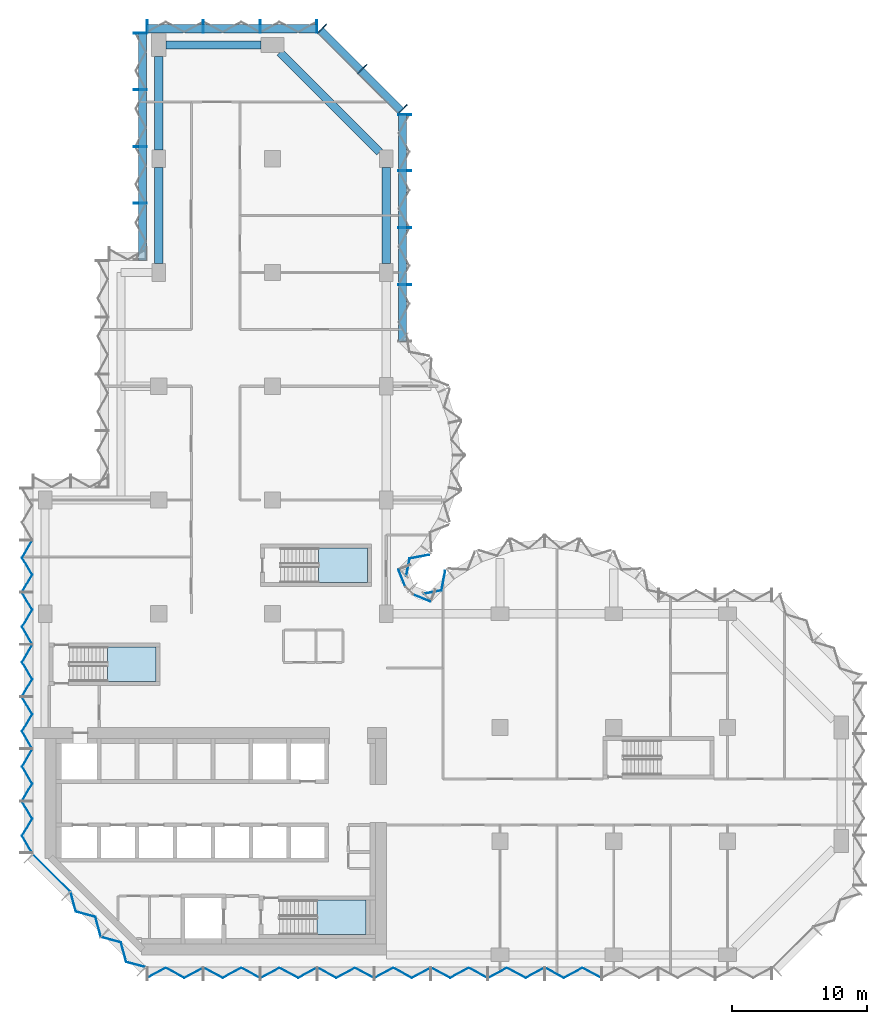
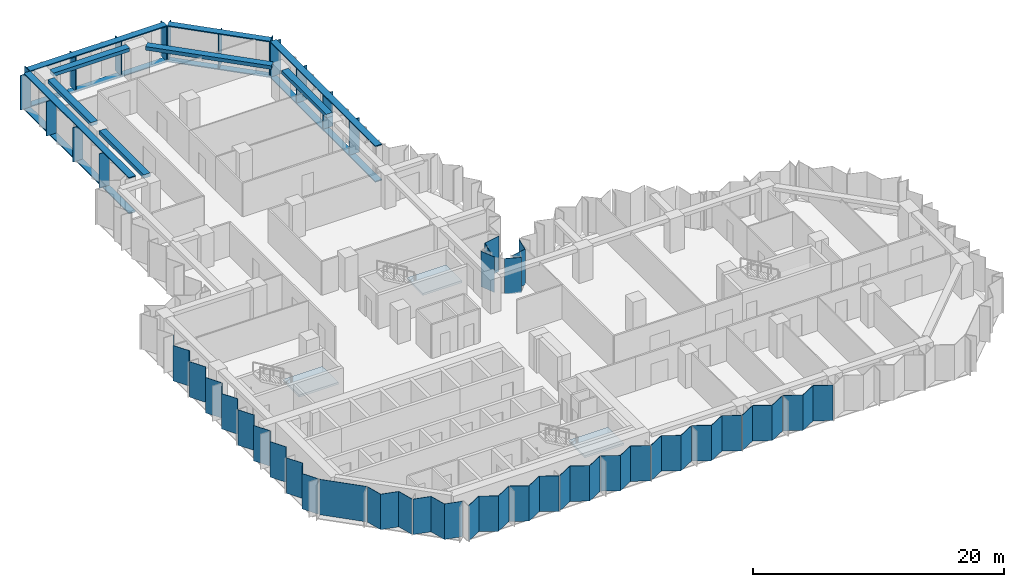
# One storey, part 3 of 11: 23 members, 21 plates, 5 beams, 3 slabs, 13 elements without a shape of their own.
"""IFC4 building model written with IfcOpenShell, lengths in metres."""

from ifc_helpers import new_model, si_unit, direction, frame, origin, origin_2d, place, context, subcontext, project, spatial, polyline, rectangle, outline, extrude, material, layer, layer_set, material_profile, profile_set, type_object, element, aggregate, save


model = new_model("IFC4")

# Units and contexts
model_context = context("Model", 3, precision=1e-05, world=origin(), true_north=direction((0.0, 1.0)))
body_context = subcontext(model_context, "Body", "Model", "MODEL_VIEW")
ifc_project = project(units=[si_unit("LENGTHUNIT", "METRE"), si_unit("AREAUNIT", "SQUARE_METRE"), si_unit("VOLUMEUNIT", "CUBIC_METRE"), si_unit("PLANEANGLEUNIT", "RADIAN"), si_unit("MASSUNIT", "GRAM", prefix="KILO")], contexts=[model_context])

# Site, building, storey
site_placement = place(None, origin())
site = spatial("IfcSite", under=ifc_project, at=site_placement, CompositionType="ELEMENT")
building_placement = place(site_placement, origin())
building = spatial("IfcBuilding", under=site, at=building_placement, Name="Brevane Broadcast Tower", CompositionType="ELEMENT")
storey_placement = place(building_placement, frame((0.0, 0.0, 152.89990234375)))
storey = spatial("IfcBuildingStorey", under=building, at=storey_placement, Name="L38", CompositionType="ELEMENT", Elevation=152.89990234375)

# Curtain wall, members
ifc_material_1 = material(Name="Aluminium 6063-T6 bronze anodised", Category="aluminium")
curtain_wall_type = type_object("IfcCurtainWallType", Name="CW-1 curtain wall", PredefinedType="NOTDEFINED", material=ifc_material_1)
curtain_wall_1_placement = place(storey_placement, origin())
curtain_wall_1 = element("IfcCurtainWall", 1, at=curtain_wall_1_placement, inside=storey, type_object=curtain_wall_type, Name="CW-1 typical tilted unit L38 north arm east face", PredefinedType="NOTDEFINED")
ifc_material_profile_1 = material_profile(ifc_material_1, rectangle(XDim=0.949951171875, YDim=0.070068359375, at=origin_2d()), Name="RECT 70x950")
ifc_profile_set_1 = profile_set([ifc_material_profile_1], Name="Aluminium 6063-T6 bronze anodised")
member_type_1 = type_object("IfcMemberType", Name="CW-1 mullion 70x950", PredefinedType="MULLION", material=ifc_profile_set_1)
member_1_placement = place(storey_placement, frame((26.574951171875, 49.5, -0.14990234375), z_axis=(0.0, 0.0, 1.0), x_axis=(-1.0, 0.0, 0.0)))
member_1 = element("IfcMember", 2, at=member_1_placement, type_object=member_type_1, Name="CW-1 mullion", PredefinedType="MULLION", context=body_context, shape_type="SweptSolid", body=[
    extrude(rectangle(XDim=0.949951171875, YDim=0.070068359375, at=origin_2d()), origin(), (0.0, 0.0, 1.0), 3.35009765625),
])
member_2_placement = place(storey_placement, frame((26.574951171875, 53.699951171875, -0.14990234375), z_axis=(0.0, 0.0, 1.0), x_axis=(-1.0, 0.0, 0.0)))
member_2 = element("IfcMember", 3, at=member_2_placement, type_object=member_type_1, Name="CW-1 mullion", PredefinedType="MULLION", context=body_context, shape_type="SweptSolid", body=[
    extrude(rectangle(XDim=0.949951171875, YDim=0.070068359375, at=origin_2d()), origin(), (0.0, 0.0, 1.0), 3.35009765625),
])
member_3_placement = place(storey_placement, frame((26.574951171875, 57.89990234375, -0.14990234375), z_axis=(0.0, 0.0, 1.0), x_axis=(-1.0, 0.0, 0.0)))
member_3 = element("IfcMember", 4, at=member_3_placement, type_object=member_type_1, Name="CW-1 mullion", PredefinedType="MULLION", context=body_context, shape_type="SweptSolid", body=[
    extrude(rectangle(XDim=0.949951171875, YDim=0.070068359375, at=origin_2d()), origin(), (0.0, 0.0, 1.0), 3.35009765625),
])
member_4_placement = place(storey_placement, frame((26.574951171875, 62.06494140625, -0.14990234375), z_axis=(0.0, 0.0, 1.0), x_axis=(-1.0, 0.0, 0.0)))
member_4 = element("IfcMember", 5, at=member_4_placement, type_object=member_type_1, Name="CW-1 mullion", PredefinedType="MULLION", context=body_context, shape_type="SweptSolid", body=[
    extrude(rectangle(XDim=0.949951171875, YDim=0.070068359375, at=origin_2d()), origin(), (0.0, 0.0, 1.0), 3.35009765625),
])

curtain_wall_2_placement = place(storey_placement, origin())
curtain_wall_2 = element("IfcCurtainWall", 6, at=curtain_wall_2_placement, inside=storey, type_object=curtain_wall_type, Name="CW-1 typical tilted unit L38 north arm north-east chamfer", PredefinedType="NOTDEFINED")
member_5_placement = place(storey_placement, frame((26.4111328125, 62.460693359375, -0.14990234375), z_axis=(0.0, 0.0, 1.0), x_axis=(-0.707106781187, -0.707106781187, 0.0)))
member_5 = element("IfcMember", 7, at=member_5_placement, type_object=member_type_1, Name="CW-1 mullion", PredefinedType="MULLION", context=body_context, shape_type="SweptSolid", body=[
    extrude(rectangle(XDim=0.949951171875, YDim=0.070068359375, at=origin_2d()), origin(), (0.0, 0.0, 1.0), 3.35009765625),
])
member_6_placement = place(storey_placement, frame((23.435791015625, 65.435791015625, -0.14990234375), z_axis=(0.0, 0.0, 1.0), x_axis=(-0.707106781187, -0.707106781187, 0.0)))
member_6 = element("IfcMember", 8, at=member_6_placement, type_object=member_type_1, Name="CW-1 mullion", PredefinedType="MULLION", context=body_context, shape_type="SweptSolid", body=[
    extrude(rectangle(XDim=0.949951171875, YDim=0.070068359375, at=origin_2d()), origin(), (0.0, 0.0, 1.0), 3.35009765625),
])
member_7_placement = place(storey_placement, frame((20.460693359375, 68.4111328125, -0.14990234375), z_axis=(0.0, 0.0, 1.0), x_axis=(-0.707106781187, -0.707106781187, 0.0)))
member_7 = element("IfcMember", 9, at=member_7_placement, type_object=member_type_1, Name="CW-1 mullion", PredefinedType="MULLION", context=body_context, shape_type="SweptSolid", body=[
    extrude(rectangle(XDim=0.949951171875, YDim=0.070068359375, at=origin_2d()), origin(), (0.0, 0.0, 1.0), 3.35009765625),
])

curtain_wall_3_placement = place(storey_placement, origin())
curtain_wall_3 = element("IfcCurtainWall", 10, at=curtain_wall_3_placement, inside=storey, type_object=curtain_wall_type, Name="CW-1 typical tilted unit L38 north end", PredefinedType="NOTDEFINED")
member_8_placement = place(storey_placement, frame((20.06494140625, 68.574951171875, -0.14990234375), z_axis=(0.0, 0.0, 1.0), x_axis=(0.0, -1.0, 0.0)))
member_8 = element("IfcMember", 11, at=member_8_placement, type_object=member_type_1, Name="CW-1 mullion", PredefinedType="MULLION", context=body_context, shape_type="SweptSolid", body=[
    extrude(rectangle(XDim=0.949951171875, YDim=0.070068359375, at=origin_2d()), origin(), (0.0, 0.0, 1.0), 3.35009765625),
])
member_9_placement = place(storey_placement, frame((15.89990234375, 68.574951171875, -0.14990234375), z_axis=(0.0, 0.0, 1.0), x_axis=(0.0, -1.0, 0.0)))
member_9 = element("IfcMember", 12, at=member_9_placement, type_object=member_type_1, Name="CW-1 mullion", PredefinedType="MULLION", context=body_context, shape_type="SweptSolid", body=[
    extrude(rectangle(XDim=0.949951171875, YDim=0.070068359375, at=origin_2d()), origin(), (0.0, 0.0, 1.0), 3.35009765625),
])
member_10_placement = place(storey_placement, frame((11.699951171875, 68.574951171875, -0.14990234375), z_axis=(0.0, 0.0, 1.0), x_axis=(0.0, -1.0, 0.0)))
member_10 = element("IfcMember", 13, at=member_10_placement, type_object=member_type_1, Name="CW-1 mullion", PredefinedType="MULLION", context=body_context, shape_type="SweptSolid", body=[
    extrude(rectangle(XDim=0.949951171875, YDim=0.070068359375, at=origin_2d()), origin(), (0.0, 0.0, 1.0), 3.35009765625),
])
member_11_placement = place(storey_placement, frame((7.534912109375, 68.574951171875, -0.14990234375), z_axis=(0.0, 0.0, 1.0), x_axis=(0.0, -1.0, 0.0)))
member_11 = element("IfcMember", 14, at=member_11_placement, type_object=member_type_1, Name="CW-1 mullion", PredefinedType="MULLION", context=body_context, shape_type="SweptSolid", body=[
    extrude(rectangle(XDim=0.949951171875, YDim=0.070068359375, at=origin_2d()), origin(), (0.0, 0.0, 1.0), 3.35009765625),
])

curtain_wall_4_placement = place(storey_placement, origin())
curtain_wall_4 = element("IfcCurtainWall", 15, at=curtain_wall_4_placement, inside=storey, type_object=curtain_wall_type, Name="CW-1 typical tilted unit L38 north wing west face above the set-back", PredefinedType="NOTDEFINED")
member_12_placement = place(storey_placement, frame((7.02490234375, 68.06494140625, -0.14990234375), z_axis=(0.0, 0.0, 1.0), x_axis=(1.0, 0.0, 0.0)))
member_12 = element("IfcMember", 16, at=member_12_placement, type_object=member_type_1, Name="CW-1 mullion", PredefinedType="MULLION", context=body_context, shape_type="SweptSolid", body=[
    extrude(rectangle(XDim=0.949951171875, YDim=0.070068359375, at=origin_2d()), origin(), (0.0, 0.0, 1.0), 3.35009765625),
])
member_13_placement = place(storey_placement, frame((7.02490234375, 63.89990234375, -0.14990234375), z_axis=(0.0, 0.0, 1.0), x_axis=(1.0, 0.0, 0.0)))
member_13 = element("IfcMember", 17, at=member_13_placement, type_object=member_type_1, Name="CW-1 mullion", PredefinedType="MULLION", context=body_context, shape_type="SweptSolid", body=[
    extrude(rectangle(XDim=0.949951171875, YDim=0.070068359375, at=origin_2d()), origin(), (0.0, 0.0, 1.0), 3.35009765625),
])
member_14_placement = place(storey_placement, frame((7.02490234375, 59.699951171875, -0.14990234375), z_axis=(0.0, 0.0, 1.0), x_axis=(1.0, 0.0, 0.0)))
member_14 = element("IfcMember", 18, at=member_14_placement, type_object=member_type_1, Name="CW-1 mullion", PredefinedType="MULLION", context=body_context, shape_type="SweptSolid", body=[
    extrude(rectangle(XDim=0.949951171875, YDim=0.070068359375, at=origin_2d()), origin(), (0.0, 0.0, 1.0), 3.35009765625),
])
member_15_placement = place(storey_placement, frame((7.02490234375, 55.5, -0.14990234375), z_axis=(0.0, 0.0, 1.0), x_axis=(1.0, 0.0, 0.0)))
member_15 = element("IfcMember", 19, at=member_15_placement, type_object=member_type_1, Name="CW-1 mullion", PredefinedType="MULLION", context=body_context, shape_type="SweptSolid", body=[
    extrude(rectangle(XDim=0.949951171875, YDim=0.070068359375, at=origin_2d()), origin(), (0.0, 0.0, 1.0), 3.35009765625),
])

# Member
ifc_material_profile_2 = material_profile(ifc_material_1, rectangle(XDim=0.60009765625, YDim=0.10009765625, at=origin_2d()), Name="RECT 100x600")
ifc_profile_set_2 = profile_set([ifc_material_profile_2], Name="Aluminium 6063-T6 bronze anodised")
member_type_2 = type_object("IfcMemberType", Name="CW-1 transom 100x600", PredefinedType="USERDEFINED", material=ifc_profile_set_2)
member_16_placement = place(storey_placement, frame((26.39990234375, 45.300048828125, -0.199951171875), z_axis=(0.0, 1.0, 0.0), x_axis=(-1.0, 0.0, 0.0)))
member_16 = element("IfcMember", 20, at=member_16_placement, type_object=member_type_2, Name="CW-1 transom", ObjectType="TRANSOM", PredefinedType="USERDEFINED", context=body_context, shape_type="SweptSolid", body=[
    extrude(rectangle(XDim=0.60009765625, YDim=0.10009765625, at=origin_2d()), origin(), (0.0, 0.0, 1.0), 16.800048828125),
])

member_17_placement = place(storey_placement, frame((26.39990234375, 45.300048828125, 3.25), z_axis=(0.0, 1.0, 0.0), x_axis=(-1.0, 0.0, 0.0)))
member_17 = element("IfcMember", 21, at=member_17_placement, type_object=member_type_2, Name="CW-1 transom", ObjectType="TRANSOM", PredefinedType="USERDEFINED", context=body_context, shape_type="SweptSolid", body=[
    extrude(rectangle(XDim=0.60009765625, YDim=0.10009765625, at=origin_2d()), origin(), (0.0, 0.0, 1.0), 16.800048828125),
])

aggregate(curtain_wall_1, [member_1, member_2, member_3, member_4, member_16, member_17])

member_18_placement = place(storey_placement, frame((26.31201171875, 62.31201171875, -0.199951171875), z_axis=(-0.707106781187, 0.707106781187, 0.0), x_axis=(-0.707106781187, -0.707106781187, 0.0)))
member_18 = element("IfcMember", 22, at=member_18_placement, type_object=member_type_2, Name="CW-1 transom", ObjectType="TRANSOM", PredefinedType="USERDEFINED", context=body_context, shape_type="SweptSolid", body=[
    extrude(rectangle(XDim=0.60009765625, YDim=0.10009765625, at=origin_2d()), origin(), (0.0, 0.0, 1.0), 8.4853515625),
])

member_19_placement = place(storey_placement, frame((26.31201171875, 62.31201171875, 3.25), z_axis=(-0.707106781187, 0.707106781187, 0.0), x_axis=(-0.707106781187, -0.707106781187, 0.0)))
member_19 = element("IfcMember", 23, at=member_19_placement, type_object=member_type_2, Name="CW-1 transom", ObjectType="TRANSOM", PredefinedType="USERDEFINED", context=body_context, shape_type="SweptSolid", body=[
    extrude(rectangle(XDim=0.60009765625, YDim=0.10009765625, at=origin_2d()), origin(), (0.0, 0.0, 1.0), 8.4853515625),
])

aggregate(curtain_wall_2, [member_5, member_6, member_7, member_18, member_19])

member_20_placement = place(storey_placement, frame((20.10009765625, 68.39990234375, -0.199951171875), z_axis=(-1.0, 0.0, 0.0), x_axis=(0.0, -1.0, 0.0)))
member_20 = element("IfcMember", 24, at=member_20_placement, type_object=member_type_2, Name="CW-1 transom", ObjectType="TRANSOM", PredefinedType="USERDEFINED", context=body_context, shape_type="SweptSolid", body=[
    extrude(rectangle(XDim=0.60009765625, YDim=0.10009765625, at=origin_2d()), origin(), (0.0, 0.0, 1.0), 12.60009765625),
])

member_21_placement = place(storey_placement, frame((20.10009765625, 68.39990234375, 3.25), z_axis=(-1.0, 0.0, 0.0), x_axis=(0.0, -1.0, 0.0)))
member_21 = element("IfcMember", 25, at=member_21_placement, type_object=member_type_2, Name="CW-1 transom", ObjectType="TRANSOM", PredefinedType="USERDEFINED", context=body_context, shape_type="SweptSolid", body=[
    extrude(rectangle(XDim=0.60009765625, YDim=0.10009765625, at=origin_2d()), origin(), (0.0, 0.0, 1.0), 12.60009765625),
])

aggregate(curtain_wall_3, [member_8, member_9, member_10, member_11, member_20, member_21])

member_22_placement = place(storey_placement, frame((7.199951171875, 68.10009765625, -0.199951171875), z_axis=(0.0, -1.0, 0.0), x_axis=(1.0, 0.0, 0.0)))
member_22 = element("IfcMember", 26, at=member_22_placement, type_object=member_type_2, Name="CW-1 transom", ObjectType="TRANSOM", PredefinedType="USERDEFINED", context=body_context, shape_type="SweptSolid", body=[
    extrude(rectangle(XDim=0.60009765625, YDim=0.10009765625, at=origin_2d()), origin(), (0.0, 0.0, 1.0), 16.800048828125),
])

member_23_placement = place(storey_placement, frame((7.199951171875, 68.10009765625, 3.25), z_axis=(0.0, -1.0, 0.0), x_axis=(1.0, 0.0, 0.0)))
member_23 = element("IfcMember", 27, at=member_23_placement, type_object=member_type_2, Name="CW-1 transom", ObjectType="TRANSOM", PredefinedType="USERDEFINED", context=body_context, shape_type="SweptSolid", body=[
    extrude(rectangle(XDim=0.60009765625, YDim=0.10009765625, at=origin_2d()), origin(), (0.0, 0.0, 1.0), 16.800048828125),
])

aggregate(curtain_wall_4, [member_12, member_13, member_14, member_15, member_22, member_23])

# Beams
ifc_material_2 = material(Name="Concrete C40/50", Category="concrete")
ifc_material_profile_3 = material_profile(ifc_material_2, rectangle(XDim=0.60009765625, YDim=0.35009765625, at=origin_2d()), Name="RC 600x350")
ifc_profile_set_3 = profile_set([ifc_material_profile_3], Name="Concrete C40/50")
beam_type = type_object("IfcBeamType", Name="RC SPANDREL BEAM 600x350 C40/50", PredefinedType="SPANDREL", material=ifc_profile_set_3)
beam_1_placement = place(storey_placement, frame((25.199951171875, 51.050048828125, 3.125), z_axis=(0.0, 1.0, 0.0), x_axis=(-1.0, 0.0, 0.0)))
element("IfcBeam", 28, at=beam_1_placement, inside=storey, type_object=beam_type, Name="EB1 L38-13", PredefinedType="SPANDREL", context=body_context, shape_type="SweptSolid", body=[
    extrude(rectangle(XDim=0.60009765625, YDim=0.35009765625, at=origin_2d()), origin(), (0.0, 0.0, 1.0), 7.099853515625),
])
beam_2_placement = place(storey_placement, frame((24.699951171875, 59.300048828125, 3.125), z_axis=(-0.707106781187, 0.707106781187, 0.0), x_axis=(-0.707106781187, -0.707106781187, 0.0)))
element("IfcBeam", 29, at=beam_2_placement, inside=storey, type_object=beam_type, Name="EB1 L38-14", PredefinedType="SPANDREL", context=body_context, shape_type="SweptSolid", body=[
    extrude(rectangle(XDim=0.60009765625, YDim=0.35009765625, at=origin_2d()), origin(), (0.0, 0.0, 1.0), 10.394287109375),
])
beam_3_placement = place(storey_placement, frame((15.949951171875, 67.199951171875, 3.125), z_axis=(-1.0, 0.0, 0.0), x_axis=(0.0, -1.0, 0.0)))
element("IfcBeam", 30, at=beam_3_placement, inside=storey, type_object=beam_type, Name="EB1 L38-15", PredefinedType="SPANDREL", context=body_context, shape_type="SweptSolid", body=[
    extrude(rectangle(XDim=0.60009765625, YDim=0.35009765625, at=origin_2d()), origin(), (0.0, 0.0, 1.0), 7.0),
])
beam_4_placement = place(storey_placement, frame((8.39990234375, 51.050048828125, 3.125), z_axis=(0.0, 1.0, 0.0), x_axis=(-1.0, 0.0, 0.0)))
element("IfcBeam", 31, at=beam_4_placement, inside=storey, type_object=beam_type, Name="EB1 L38-22", PredefinedType="SPANDREL", context=body_context, shape_type="SweptSolid", body=[
    extrude(rectangle(XDim=0.60009765625, YDim=0.35009765625, at=origin_2d()), origin(), (0.0, 0.0, 1.0), 7.099853515625),
])
beam_5_placement = place(storey_placement, frame((8.39990234375, 59.449951171875, 3.125), z_axis=(0.0, 1.0, 0.0), x_axis=(-1.0, 0.0, 0.0)))
element("IfcBeam", 32, at=beam_5_placement, inside=storey, type_object=beam_type, Name="EB1 L38-23", PredefinedType="SPANDREL", context=body_context, shape_type="SweptSolid", body=[
    extrude(rectangle(XDim=0.60009765625, YDim=0.35009765625, at=origin_2d()), origin(), (0.0, 0.0, 1.0), 6.900146484375),
])

# Curtain wall, plates
curtain_wall_5_placement = place(storey_placement, origin())
curtain_wall_5 = element("IfcCurtainWall", 33, at=curtain_wall_5_placement, inside=storey, type_object=curtain_wall_type, Name="CW-1 typical tilted unit L38 south face", PredefinedType="NOTDEFINED")
ifc_material_3 = material(Name="Laminated glass bronze-tinted", Category="glass")
ifc_layer_1 = layer(ifc_material_3, 0.0400390625)
ifc_layer_set_1 = layer_set([ifc_layer_1], Name="CW tall glass panel 40")
plate_type = type_object("IfcPlateType", Name="CW tall glass panel 40", PredefinedType="CURTAIN_PANEL", material=ifc_layer_set_1)
plate_1_placement = place(storey_placement, frame((0.0, 0.0, -0.14990234375)))
plate_1 = element("IfcPlate", 34, at=plate_1_placement, type_object=plate_type, Name="CW-1 glass panel", PredefinedType="CURTAIN_PANEL", context=body_context, shape_type="SweptSolid", body=[
    extrude(outline(polyline([(7.534912109375, -1.671630859375), (7.534912109375, -1.717041015625), (8.91162109375, -0.97265625), (10.288330078125, -1.717041015625), (11.6650390625, -0.97265625), (11.6650390625, -0.92724609375), (10.288330078125, -1.671630859375), (8.91162109375, -0.92724609375), (7.534912109375, -1.671630859375)])), origin(), (0.0, 0.0, 1.0), 3.449951171875),
])
plate_2_placement = place(storey_placement, frame((0.0, 0.0, -0.14990234375)))
plate_2 = element("IfcPlate", 35, at=plate_2_placement, type_object=plate_type, Name="CW-1 glass panel", PredefinedType="CURTAIN_PANEL", context=body_context, shape_type="SweptSolid", body=[
    extrude(outline(polyline([(11.735107421875, -0.92724609375), (11.735107421875, -0.97265625), (13.11181640625, -1.717041015625), (14.48828125, -0.97265625), (15.864990234375, -1.717041015625), (15.864990234375, -1.671630859375), (14.48828125, -0.92724609375), (13.11181640625, -1.671630859375), (11.735107421875, -0.92724609375)])), origin(), (0.0, 0.0, 1.0), 3.449951171875),
])
plate_3_placement = place(storey_placement, frame((0.0, 0.0, -0.14990234375)))
plate_3 = element("IfcPlate", 36, at=plate_3_placement, type_object=plate_type, Name="CW-1 glass panel", PredefinedType="CURTAIN_PANEL", context=body_context, shape_type="SweptSolid", body=[
    extrude(outline(polyline([(15.93505859375, -1.671630859375), (15.93505859375, -1.717041015625), (17.311767578125, -0.97265625), (18.688232421875, -1.717041015625), (20.06494140625, -0.97265625), (20.06494140625, -0.92724609375), (18.688232421875, -1.671630859375), (17.311767578125, -0.92724609375), (15.93505859375, -1.671630859375)])), origin(), (0.0, 0.0, 1.0), 3.449951171875),
])
plate_4_placement = place(storey_placement, frame((0.0, 0.0, -0.14990234375)))
plate_4 = element("IfcPlate", 37, at=plate_4_placement, type_object=plate_type, Name="CW-1 glass panel", PredefinedType="CURTAIN_PANEL", context=body_context, shape_type="SweptSolid", body=[
    extrude(outline(polyline([(20.135009765625, -0.92724609375), (20.135009765625, -0.97265625), (21.51171875, -1.717041015625), (22.88818359375, -0.97265625), (24.264892578125, -1.717041015625), (24.264892578125, -1.671630859375), (22.88818359375, -0.92724609375), (21.51171875, -1.671630859375), (20.135009765625, -0.92724609375)])), origin(), (0.0, 0.0, 1.0), 3.449951171875),
])
plate_5_placement = place(storey_placement, frame((0.0, 0.0, -0.14990234375)))
plate_5 = element("IfcPlate", 38, at=plate_5_placement, type_object=plate_type, Name="CW-1 glass panel", PredefinedType="CURTAIN_PANEL", context=body_context, shape_type="SweptSolid", body=[
    extrude(outline(polyline([(24.3349609375, -1.671630859375), (24.3349609375, -1.717041015625), (25.711669921875, -0.97265625), (27.08837890625, -1.717041015625), (28.465087890625, -0.97265625), (28.465087890625, -0.92724609375), (27.08837890625, -1.671630859375), (25.711669921875, -0.92724609375), (24.3349609375, -1.671630859375)])), origin(), (0.0, 0.0, 1.0), 3.449951171875),
])
plate_6_placement = place(storey_placement, frame((0.0, 0.0, -0.14990234375)))
plate_6 = element("IfcPlate", 39, at=plate_6_placement, type_object=plate_type, Name="CW-1 glass panel", PredefinedType="CURTAIN_PANEL", context=body_context, shape_type="SweptSolid", body=[
    extrude(outline(polyline([(28.534912109375, -0.92724609375), (28.534912109375, -0.97265625), (29.91162109375, -1.717041015625), (31.288330078125, -0.97265625), (32.6650390625, -1.717041015625), (32.6650390625, -1.671630859375), (31.288330078125, -0.92724609375), (29.91162109375, -1.671630859375), (28.534912109375, -0.92724609375)])), origin(), (0.0, 0.0, 1.0), 3.449951171875),
])
plate_7_placement = place(storey_placement, frame((0.0, 0.0, -0.14990234375)))
plate_7 = element("IfcPlate", 40, at=plate_7_placement, type_object=plate_type, Name="CW-1 glass panel", PredefinedType="CURTAIN_PANEL", context=body_context, shape_type="SweptSolid", body=[
    extrude(outline(polyline([(32.735107421875, -1.671630859375), (32.735107421875, -1.717041015625), (34.11181640625, -0.97265625), (35.48828125, -1.717041015625), (36.864990234375, -0.97265625), (36.864990234375, -0.92724609375), (35.48828125, -1.671630859375), (34.11181640625, -0.92724609375), (32.735107421875, -1.671630859375)])), origin(), (0.0, 0.0, 1.0), 3.449951171875),
])
plate_8_placement = place(storey_placement, frame((0.0, 0.0, -0.14990234375)))
plate_8 = element("IfcPlate", 41, at=plate_8_placement, type_object=plate_type, Name="CW-1 glass panel", PredefinedType="CURTAIN_PANEL", context=body_context, shape_type="SweptSolid", body=[
    extrude(outline(polyline([(36.93505859375, -0.92724609375), (36.93505859375, -0.97265625), (38.311767578125, -1.717041015625), (39.688232421875, -0.97265625), (41.06494140625, -1.717041015625), (41.06494140625, -1.671630859375), (39.688232421875, -0.92724609375), (38.311767578125, -1.671630859375), (36.93505859375, -0.92724609375)])), origin(), (0.0, 0.0, 1.0), 3.449951171875),
])
aggregate(curtain_wall_5, [plate_1, plate_2, plate_3, plate_4, plate_5, plate_6, plate_7, plate_8])

# Curtain wall, plate
curtain_wall_6_placement = place(storey_placement, origin())
curtain_wall_6 = element("IfcCurtainWall", 42, at=curtain_wall_6_placement, inside=storey, type_object=curtain_wall_type, Name="CW-1 typical tilted unit L38 east bow", PredefinedType="NOTDEFINED")
plate_9_placement = place(storey_placement, frame((0.0, 0.0, -0.14990234375)))
plate_9 = element("IfcPlate", 43, at=plate_9_placement, type_object=plate_type, Name="CW-1 glass panel", PredefinedType="CURTAIN_PANEL", context=body_context, shape_type="SweptSolid", body=[
    extrude(outline(polyline([(29.568603515625, 28.34375), (29.535888671875, 28.3857421875), (29.2607421875, 26.9423828125), (27.975341796875, 26.690185546875), (28.008544921875, 26.656005859375), (29.294921875, 26.908203125), (29.568603515625, 28.34375)])), origin(), (0.0, 0.0, 1.0), 3.449951171875),
])
aggregate(curtain_wall_6, [plate_9])

# Curtain wall, plates
curtain_wall_7_placement = place(storey_placement, origin())
curtain_wall_7 = element("IfcCurtainWall", 44, at=curtain_wall_7_placement, inside=storey, type_object=curtain_wall_type, Name="CW-1 typical tilted unit L38 inner corner", PredefinedType="NOTDEFINED")
plate_10_placement = place(storey_placement, frame((0.0, 0.0, -0.14990234375)))
plate_10 = element("IfcPlate", 45, at=plate_10_placement, type_object=plate_type, Name="CW-1 glass panel", PredefinedType="CURTAIN_PANEL", context=body_context, shape_type="SweptSolid", body=[
    extrude(outline(polyline([(28.45166015625, 26.07470703125), (28.466796875, 26.111572265625), (27.2021484375, 26.635498046875), (27.17138671875, 26.60498046875), (28.45166015625, 26.07470703125)])), origin(), (0.0, 0.0, 1.0), 3.449951171875),
])
plate_11_placement = place(storey_placement, frame((0.0, 0.0, -0.14990234375)))
plate_11 = element("IfcPlate", 46, at=plate_11_placement, type_object=plate_type, Name="CW-1 glass panel", PredefinedType="CURTAIN_PANEL", context=body_context, shape_type="SweptSolid", body=[
    extrude(outline(polyline([(26.60498046875, 27.17138671875), (26.635498046875, 27.2021484375), (26.111572265625, 28.466796875), (26.07470703125, 28.45166015625), (26.60498046875, 27.17138671875)])), origin(), (0.0, 0.0, 1.0), 3.449951171875),
])
aggregate(curtain_wall_7, [plate_10, plate_11])

# Curtain wall, plate
curtain_wall_8_placement = place(storey_placement, origin())
curtain_wall_8 = element("IfcCurtainWall", 47, at=curtain_wall_8_placement, inside=storey, type_object=curtain_wall_type, Name="CW-1 typical tilted unit L38 north bow", PredefinedType="NOTDEFINED")
plate_12_placement = place(storey_placement, frame((0.0, 0.0, -0.14990234375)))
plate_12 = element("IfcPlate", 48, at=plate_12_placement, type_object=plate_type, Name="CW-1 glass panel", PredefinedType="CURTAIN_PANEL", context=body_context, shape_type="SweptSolid", body=[
    extrude(outline(polyline([(26.656005859375, 28.008544921875), (26.690185546875, 27.975341796875), (26.9423828125, 29.2607421875), (28.3857421875, 29.535888671875), (28.34375, 29.568603515625), (26.908203125, 29.294921875), (26.656005859375, 28.008544921875)])), origin(), (0.0, 0.0, 1.0), 3.449951171875),
])
aggregate(curtain_wall_8, [plate_12])

# Curtain wall, plates
curtain_wall_9_placement = place(storey_placement, origin())
curtain_wall_9 = element("IfcCurtainWall", 49, at=curtain_wall_9_placement, inside=storey, type_object=curtain_wall_type, Name="CW-1 typical tilted unit L38 west face", PredefinedType="NOTDEFINED")
plate_13_placement = place(storey_placement, frame((0.0, 0.0, -0.14990234375)))
plate_13 = element("IfcPlate", 50, at=plate_13_placement, type_object=plate_type, Name="CW-1 glass panel", PredefinedType="CURTAIN_PANEL", context=body_context, shape_type="SweptSolid", body=[
    extrude(outline(polyline([(-0.9267578125, 30.60791015625), (-0.97314453125, 30.60791015625), (-1.717529296875, 29.345458984375), (-0.97314453125, 28.0830078125), (-1.717529296875, 26.82080078125), (-1.671142578125, 26.82080078125), (-0.9267578125, 28.0830078125), (-1.671142578125, 29.345458984375), (-0.9267578125, 30.60791015625)])), origin(), (0.0, 0.0, 1.0), 3.449951171875),
])
plate_14_placement = place(storey_placement, frame((0.0, 0.0, -0.14990234375)))
plate_14 = element("IfcPlate", 51, at=plate_14_placement, type_object=plate_type, Name="CW-1 glass panel", PredefinedType="CURTAIN_PANEL", context=body_context, shape_type="SweptSolid", body=[
    extrude(outline(polyline([(-1.671142578125, 26.750732421875), (-1.717529296875, 26.750732421875), (-0.97314453125, 25.48828125), (-1.717529296875, 24.22607421875), (-0.97314453125, 22.963623046875), (-0.9267578125, 22.963623046875), (-1.671142578125, 24.22607421875), (-0.9267578125, 25.48828125), (-1.671142578125, 26.750732421875)])), origin(), (0.0, 0.0, 1.0), 3.449951171875),
])
plate_15_placement = place(storey_placement, frame((0.0, 0.0, -0.14990234375)))
plate_15 = element("IfcPlate", 52, at=plate_15_placement, type_object=plate_type, Name="CW-1 glass panel", PredefinedType="CURTAIN_PANEL", context=body_context, shape_type="SweptSolid", body=[
    extrude(outline(polyline([(-0.9267578125, 22.8935546875), (-0.97314453125, 22.8935546875), (-1.717529296875, 21.631103515625), (-0.97314453125, 20.368896484375), (-1.717529296875, 19.1064453125), (-1.671142578125, 19.1064453125), (-0.9267578125, 20.368896484375), (-1.671142578125, 21.631103515625), (-0.9267578125, 22.8935546875)])), origin(), (0.0, 0.0, 1.0), 3.449951171875),
])
plate_16_placement = place(storey_placement, frame((0.0, 0.0, -0.14990234375)))
plate_16 = element("IfcPlate", 53, at=plate_16_placement, type_object=plate_type, Name="CW-1 glass panel", PredefinedType="CURTAIN_PANEL", context=body_context, shape_type="SweptSolid", body=[
    extrude(outline(polyline([(-1.671142578125, 19.036376953125), (-1.717529296875, 19.036376953125), (-0.97314453125, 17.77392578125), (-1.717529296875, 16.51171875), (-0.97314453125, 15.249267578125), (-0.9267578125, 15.249267578125), (-1.671142578125, 16.51171875), (-0.9267578125, 17.77392578125), (-1.671142578125, 19.036376953125)])), origin(), (0.0, 0.0, 1.0), 3.449951171875),
])
plate_17_placement = place(storey_placement, frame((0.0, 0.0, -0.14990234375)))
plate_17 = element("IfcPlate", 54, at=plate_17_placement, type_object=plate_type, Name="CW-1 glass panel", PredefinedType="CURTAIN_PANEL", context=body_context, shape_type="SweptSolid", body=[
    extrude(outline(polyline([(-0.9267578125, 15.17919921875), (-0.97314453125, 15.17919921875), (-1.717529296875, 13.9169921875), (-0.97314453125, 12.654541015625), (-1.717529296875, 11.39208984375), (-1.671142578125, 11.39208984375), (-0.9267578125, 12.654541015625), (-1.671142578125, 13.9169921875), (-0.9267578125, 15.17919921875)])), origin(), (0.0, 0.0, 1.0), 3.449951171875),
])
plate_18_placement = place(storey_placement, frame((0.0, 0.0, -0.14990234375)))
plate_18 = element("IfcPlate", 55, at=plate_18_placement, type_object=plate_type, Name="CW-1 glass panel", PredefinedType="CURTAIN_PANEL", context=body_context, shape_type="SweptSolid", body=[
    extrude(outline(polyline([(-1.671142578125, 11.322021484375), (-1.717529296875, 11.322021484375), (-0.97314453125, 10.059814453125), (-1.717529296875, 8.79736328125), (-0.97314453125, 7.534912109375), (-0.9267578125, 7.534912109375), (-1.671142578125, 8.79736328125), (-0.9267578125, 10.059814453125), (-1.671142578125, 11.322021484375)])), origin(), (0.0, 0.0, 1.0), 3.449951171875),
])
aggregate(curtain_wall_9, [plate_13, plate_14, plate_15, plate_16, plate_17, plate_18])

curtain_wall_10_placement = place(storey_placement, origin())
curtain_wall_10 = element("IfcCurtainWall", 56, at=curtain_wall_10_placement, inside=storey, type_object=curtain_wall_type, Name="CW-1 typical tilted unit L38 south-west chamfer", PredefinedType="NOTDEFINED")
plate_19_placement = place(storey_placement, frame((0.0, 0.0, -0.14990234375)))
plate_19 = element("IfcPlate", 57, at=plate_19_placement, type_object=plate_type, Name="CW-1 glass panel", PredefinedType="CURTAIN_PANEL", context=body_context, shape_type="SweptSolid", body=[
    extrude(outline(polyline([(-0.896484375, 7.4541015625), (1.85400390625, 4.70361328125), (1.82568359375, 4.67529296875), (-0.9248046875, 7.42578125), (-0.896484375, 7.4541015625)])), origin(), (0.0, 0.0, 1.0), 3.449951171875),
])
plate_20_placement = place(storey_placement, frame((0.0, 0.0, -0.14990234375)))
plate_20 = element("IfcPlate", 58, at=plate_20_placement, type_object=plate_type, Name="CW-1 glass panel", PredefinedType="CURTAIN_PANEL", context=body_context, shape_type="SweptSolid", body=[
    extrude(outline(polyline([(1.90576171875, 4.65625), (1.873046875, 4.62353515625), (2.263671875, 3.180419921875), (3.706787109375, 2.789794921875), (4.09716796875, 1.3466796875), (4.1298828125, 1.37939453125), (3.739501953125, 2.822509765625), (2.296142578125, 3.212890625), (1.90576171875, 4.65625)])), origin(), (0.0, 0.0, 1.0), 3.449951171875),
])
plate_21_placement = place(storey_placement, frame((0.0, 0.0, -0.14990234375)))
plate_21 = element("IfcPlate", 59, at=plate_21_placement, type_object=plate_type, Name="CW-1 glass panel", PredefinedType="CURTAIN_PANEL", context=body_context, shape_type="SweptSolid", body=[
    extrude(outline(polyline([(4.17919921875, 1.329833984375), (4.146728515625, 1.297119140625), (5.58984375, 0.90673828125), (5.98046875, -0.536376953125), (7.423583984375, -0.927001953125), (7.456298828125, -0.894287109375), (6.012939453125, -0.50390625), (5.62255859375, 0.939453125), (4.17919921875, 1.329833984375)])), origin(), (0.0, 0.0, 1.0), 3.449951171875),
])
aggregate(curtain_wall_10, [plate_19, plate_20, plate_21])

# Stair, slab
ifc_material_4 = material(Name="Concrete C50/60", Category="concrete")
stair_type = type_object("IfcStairType", Name="Exit stair 22 risers", PredefinedType="HALF_TURN_STAIR", material=ifc_material_4)
stair_1_placement = place(storey_placement, origin())
stair_1 = element("IfcStair", 60, at=stair_1_placement, inside=storey, type_object=stair_type, Name="L38 Exit stair ST-1", PredefinedType="HALF_TURN_STAIR")
ifc_layer_2 = layer(ifc_material_4, 0.199951171875)
ifc_layer_set_2 = layer_set([ifc_layer_2], Name="Exit stair landing")
slab_type = type_object("IfcSlabType", Name="Exit stair landing", PredefinedType="LANDING", material=ifc_layer_set_2)
slab_1_placement = place(storey_placement, frame((0.0, 0.0, 1.60009765625)))
slab_1 = element("IfcSlab", 61, at=slab_1_placement, type_object=slab_type, Name="ST-1 landing 1", PredefinedType="LANDING", context=body_context, shape_type="SweptSolid", body=[
    extrude(outline(polyline([(4.60009765625, 20.199951171875), (8.199951171875, 20.199951171875), (8.199951171875, 22.75), (4.60009765625, 22.75), (4.60009765625, 20.199951171875)])), origin(), (0.0, 0.0, 1.0), 0.199951171875),
])
aggregate(stair_1, [slab_1])

stair_2_placement = place(storey_placement, origin())
stair_2 = element("IfcStair", 62, at=stair_2_placement, inside=storey, type_object=stair_type, Name="L38 Exit stair ST-2", PredefinedType="HALF_TURN_STAIR")
slab_2_placement = place(storey_placement, frame((0.0, 0.0, 1.60009765625)))
slab_2 = element("IfcSlab", 63, at=slab_2_placement, type_object=slab_type, Name="ST-2 landing 1", PredefinedType="LANDING", context=body_context, shape_type="SweptSolid", body=[
    extrude(outline(polyline([(20.10009765625, 1.5), (23.699951171875, 1.5), (23.699951171875, 4.050048828125), (20.10009765625, 4.050048828125), (20.10009765625, 1.5)])), origin(), (0.0, 0.0, 1.0), 0.199951171875),
])
aggregate(stair_2, [slab_2])

stair_3_placement = place(storey_placement, origin())
stair_3 = element("IfcStair", 64, at=stair_3_placement, inside=storey, type_object=stair_type, Name="L38 Exit stair ST-3", PredefinedType="HALF_TURN_STAIR")
slab_3_placement = place(storey_placement, frame((0.0, 0.0, 1.60009765625)))
slab_3 = element("IfcSlab", 65, at=slab_3_placement, type_object=slab_type, Name="ST-3 landing 1", PredefinedType="LANDING", context=body_context, shape_type="SweptSolid", body=[
    extrude(outline(polyline([(20.199951171875, 27.5), (23.800048828125, 27.5), (23.800048828125, 30.050048828125), (20.199951171875, 30.050048828125), (20.199951171875, 27.5)])), origin(), (0.0, 0.0, 1.0), 0.199951171875),
])
aggregate(stair_3, [slab_3])

save(model, "model.ifc")
